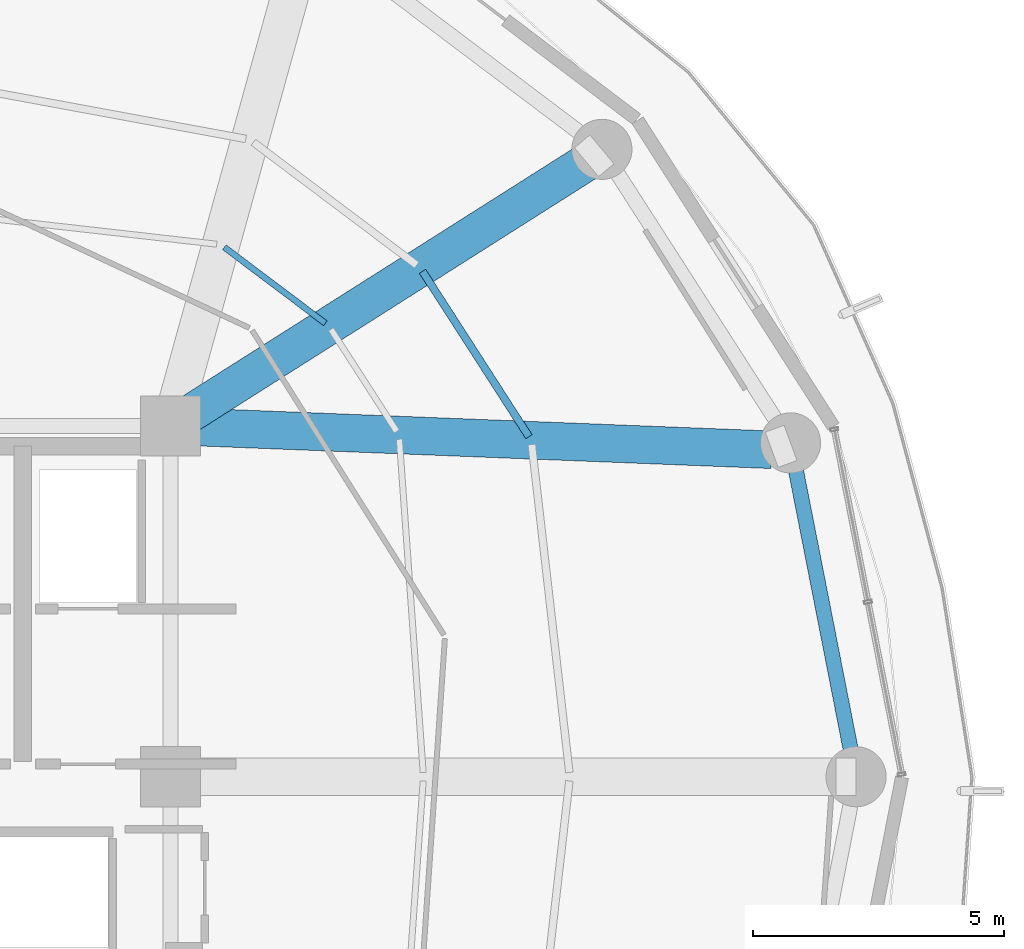
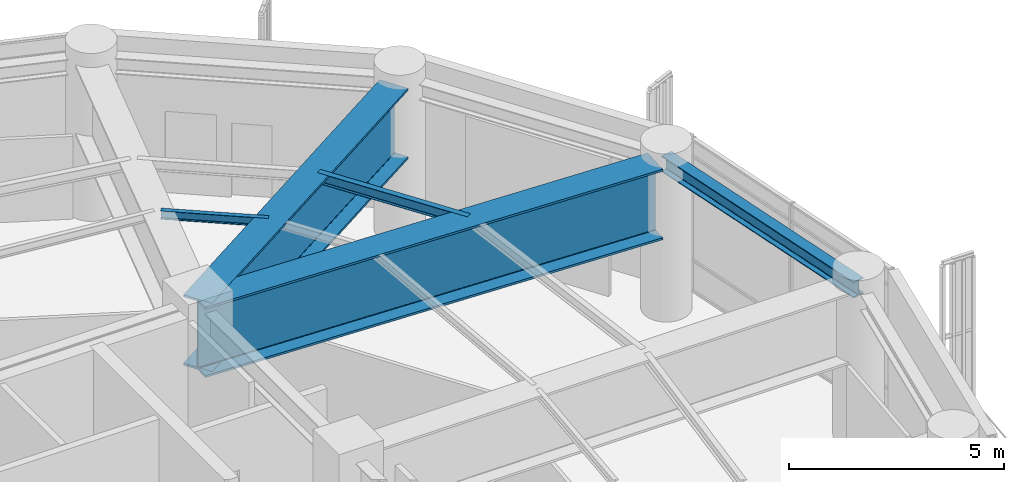
# One storey, part 14 of 28: 5 beams.
"""IFC4 building model written with IfcOpenShell, lengths in metres."""

from ifc_helpers import new_model, si_unit, direction, frame, origin, origin_2d, place, context, subcontext, project, spatial, i_section, extrude, material, material_profile, profile_set, type_object, element, save


model = new_model("IFC4")

# Units and contexts
model_context = context("Model", 3, precision=1e-05, world=origin(), true_north=direction((0.0, 1.0)))
body_context = subcontext(model_context, "Body", "Model", "MODEL_VIEW")
ifc_project = project(units=[si_unit("LENGTHUNIT", "METRE"), si_unit("AREAUNIT", "SQUARE_METRE"), si_unit("VOLUMEUNIT", "CUBIC_METRE"), si_unit("PLANEANGLEUNIT", "RADIAN"), si_unit("MASSUNIT", "GRAM", prefix="KILO")], contexts=[model_context])

# Site, building, storey
site_placement = place(None, origin())
site = spatial("IfcSite", under=ifc_project, at=site_placement, CompositionType="ELEMENT")
building_placement = place(site_placement, origin())
building = spatial("IfcBuilding", under=site, at=building_placement, Name="Kelanora Arch Commons", CompositionType="ELEMENT")
storey_placement = place(building_placement, frame((0.0, 0.0, 184.35009765625)))
storey = spatial("IfcBuildingStorey", under=building, at=storey_placement, Name="L47", CompositionType="ELEMENT", Elevation=184.35009765625)

# Beams
ifc_material = material(Name="Steel S355", Category="steel")
ifc_material_profile_1 = material_profile(ifc_material, i_section(OverallWidth=0.14990234375, OverallDepth=0.300048828125, WebThickness=0.007080078125, FlangeThickness=0.0107421875, FilletRadius=0.014892578125, at=origin_2d()), Name="IPE300")
ifc_profile_set_1 = profile_set([ifc_material_profile_1], Name="Steel S355")
beam_type_1 = type_object("IfcBeamType", Name="BM-JST-01", PredefinedType="JOIST", material=ifc_profile_set_1)
beam_1_placement = place(storey_placement, frame((89.152099609375, 64.786865234375, 4.2099609375), z_axis=(-0.541411265892, 0.840757896879, 0.0), x_axis=(-0.840757896879, -0.541411265892, 0.0)))
element("IfcBeam", 1, at=beam_1_placement, inside=storey, type_object=beam_type_1, Name="Secondary Chord Joist BJB-02 L47", PredefinedType="JOIST", context=body_context, shape_type="SweptSolid", body=[
    extrude(i_section(OverallWidth=0.14990234375, OverallDepth=0.300048828125, WebThickness=0.007080078125, FlangeThickness=0.0107421875, FilletRadius=0.014892578125, at=origin_2d()), origin(), (0.0, 0.0, 1.0), 3.92529296875),
])
ifc_material_profile_2 = material_profile(ifc_material, i_section(OverallWidth=0.1201171875, OverallDepth=0.239990234375, WebThickness=0.006103515625, FlangeThickness=0.009765625, FilletRadius=0.014892578125, at=origin_2d()), Name="IPE240")
ifc_profile_set_2 = profile_set([ifc_material_profile_2], Name="Steel S355")
beam_type_2 = type_object("IfcBeamType", Name="BM-JST-02", PredefinedType="JOIST", material=ifc_profile_set_2)
beam_2_placement = place(storey_placement, frame((85.086669921875, 67.051513671875, 4.239990234375), z_axis=(-0.79911638933, 0.601176343766, 0.0), x_axis=(-0.601176343766, -0.79911638933, 0.0)))
element("IfcBeam", 2, at=beam_2_placement, inside=storey, type_object=beam_type_2, Name="Secondary Chord Joist BJA-04 L47", PredefinedType="JOIST", context=body_context, shape_type="SweptSolid", body=[
    extrude(i_section(OverallWidth=0.1201171875, OverallDepth=0.239990234375, WebThickness=0.006103515625, FlangeThickness=0.009765625, FilletRadius=0.014892578125, at=origin_2d()), origin(), (0.0, 0.0, 1.0), 2.522216796875),
])
ifc_material_profile_3 = material_profile(ifc_material, i_section(OverallWidth=0.300048828125, OverallDepth=0.449951171875, WebThickness=0.013916015625, FlangeThickness=0.02587890625, FilletRadius=0.027099609375, at=origin_2d()), Name="HEB450")
ifc_profile_set_3 = profile_set([ifc_material_profile_3], Name="Steel S355")
beam_type_3 = type_object("IfcBeamType", Name="BM-SPN-Z3", PredefinedType="SPANDREL", material=ifc_profile_set_3)
beam_3_placement = place(storey_placement, frame((95.679931640625, 58.0, 4.135009765625), z_axis=(-0.192553643556, 0.981286448675, 0.0), x_axis=(-0.981286448675, -0.192553643556, 0.0)))
element("IfcBeam", 3, at=beam_3_placement, inside=storey, type_object=beam_type_3, Name="Perimeter Spandrel Beam BS-00 L47", PredefinedType="SPANDREL", context=body_context, shape_type="SweptSolid", body=[
    extrude(i_section(OverallWidth=0.300048828125, OverallDepth=0.449951171875, WebThickness=0.013916015625, FlangeThickness=0.02587890625, FilletRadius=0.027099609375, at=origin_2d()), origin(), (0.0, 0.0, 1.0), 6.78955078125),
])
ifc_material_profile_4 = material_profile(ifc_material, i_section(OverallWidth=0.75, OverallDepth=2.0, WebThickness=0.034912109375, FlangeThickness=0.06005859375, FilletRadius=0.028076171875, at=origin_2d()), Name="PG2000x750")
ifc_profile_set_4 = profile_set([ifc_material_profile_4], Name="Steel S355")
beam_type_4 = type_object("IfcBeamType", Name="BM-XFER-SET", PredefinedType="USERDEFINED", material=ifc_profile_set_4)
beam_4_placement = place(storey_placement, frame((82.0, 65.0, 3.35986328125), z_axis=(0.999219142585, -0.03951082246, 0.0), x_axis=(0.03951082246, 0.999219142585, 0.0)))
element("IfcBeam", 4, at=beam_4_placement, inside=storey, type_object=beam_type_4, Name="Setback Radial Transfer Girder BRI-02 L47", ObjectType="TRANSFER_GIRDER", PredefinedType="USERDEFINED", context=body_context, shape_type="SweptSolid", body=[
    extrude(i_section(OverallWidth=0.75, OverallDepth=2.0, WebThickness=0.034912109375, FlangeThickness=0.06005859375, FilletRadius=0.028076171875, at=origin_2d()), origin(), (0.0, 0.0, 1.0), 12.005859375),
])
beam_5_placement = place(storey_placement, frame((82.0, 65.0, 3.35986328125), z_axis=(0.844507208607, 0.535544185489, 0.0), x_axis=(-0.535544185489, 0.844507208607, 0.0)))
element("IfcBeam", 5, at=beam_5_placement, inside=storey, type_object=beam_type_4, Name="Setback Radial Transfer Girder BRI-04 L47", ObjectType="TRANSFER_GIRDER", PredefinedType="USERDEFINED", context=body_context, shape_type="SweptSolid", body=[
    extrude(i_section(OverallWidth=0.75, OverallDepth=2.0, WebThickness=0.034912109375, FlangeThickness=0.06005859375, FilletRadius=0.028076171875, at=origin_2d()), origin(), (0.0, 0.0, 1.0), 9.830078125),
])

save(model, "model.ifc")
